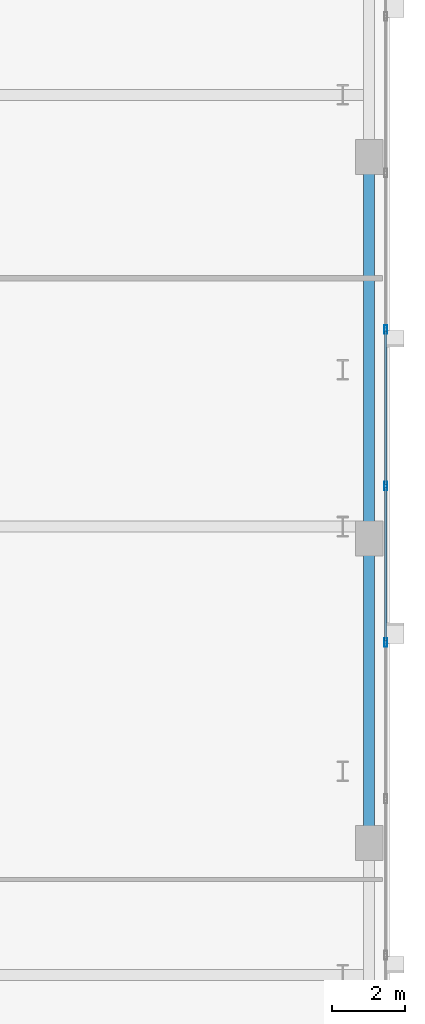
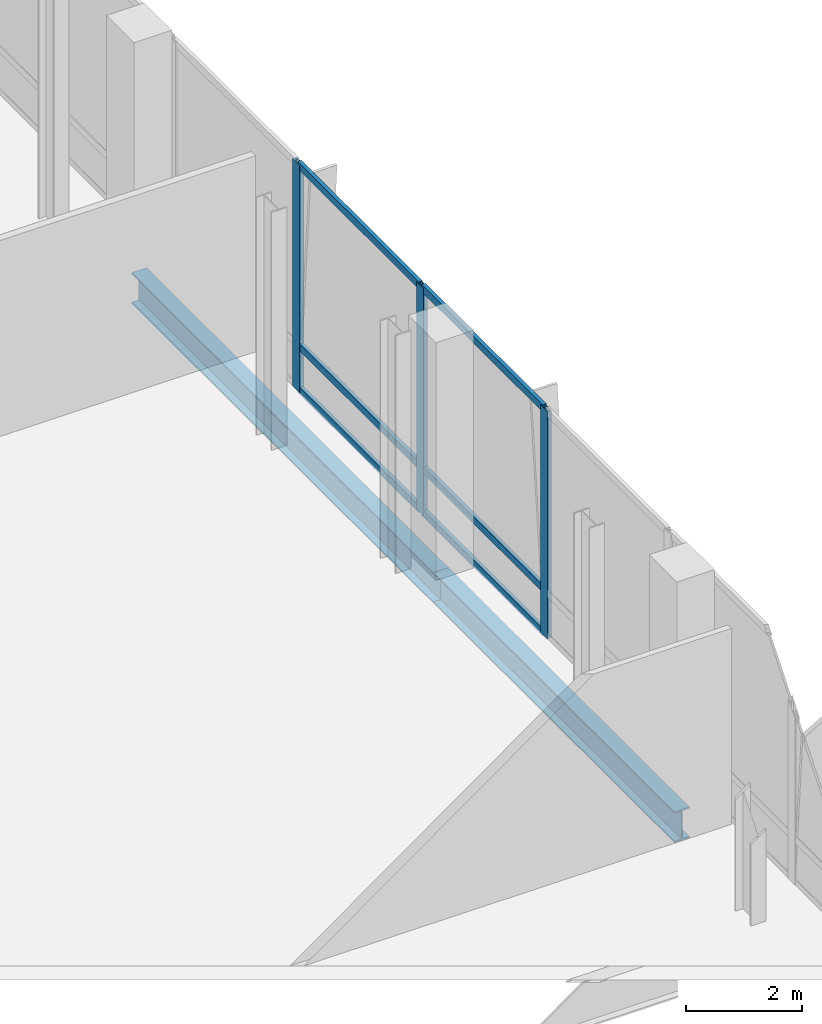
# One storey, part 15 of 25: 9 members, 2 beams, 1 element without a shape of its own.
"""IFC4 building model written with IfcOpenShell, lengths in metres."""

from ifc_helpers import new_model, si_unit, direction, frame, origin, origin_2d, place, context, subcontext, project, spatial, hollow_rectangle, i_section, extrude, material, material_profile, profile_set, type_object, element, aggregate, save


model = new_model("IFC4")

# Units and contexts
model_context = context("Model", 3, precision=1e-05, world=origin(), true_north=direction((0.0, 1.0)))
body_context = subcontext(model_context, "Body", "Model", "MODEL_VIEW")
ifc_project = project(units=[si_unit("LENGTHUNIT", "METRE"), si_unit("AREAUNIT", "SQUARE_METRE"), si_unit("VOLUMEUNIT", "CUBIC_METRE"), si_unit("PLANEANGLEUNIT", "RADIAN"), si_unit("MASSUNIT", "GRAM", prefix="KILO")], contexts=[model_context])

# Site, building, storey
site_placement = place(None, origin())
site = spatial("IfcSite", under=ifc_project, at=site_placement, CompositionType="ELEMENT")
building_placement = place(site_placement, origin())
building = spatial("IfcBuilding", under=site, at=building_placement, Name="Khoronbel Lancet Exchange", CompositionType="ELEMENT")
storey_placement = place(building_placement, frame((0.0, 0.0, 15.39990234375)))
storey = spatial("IfcBuildingStorey", under=building, at=storey_placement, Name="L03", CompositionType="ELEMENT", Elevation=15.39990234375)

# Beams
ifc_material_1 = material(Name="Steel S355", Category="steel")
ifc_material_profile_1 = material_profile(ifc_material_1, i_section(OverallWidth=0.300048828125, OverallDepth=0.64990234375, WebThickness=0.01611328125, FlangeThickness=0.031005859375, at=origin_2d()), Name="HEB 650")
ifc_profile_set_1 = profile_set([ifc_material_profile_1], Name="Steel S355")
beam_type = type_object("IfcBeamType", Name="BM-BSP1", PredefinedType="SPANDREL", material=ifc_profile_set_1)
beam_1_placement = place(storey_placement, frame((72.35009765625, 22.800048828125, -0.52490234375), z_axis=(0.0, 1.0, 0.0), x_axis=(-1.0, 0.0, 0.0)))
element("IfcBeam", 1, at=beam_1_placement, inside=storey, type_object=beam_type, Name="Level L03 perimeter spandrel beam SP10", PredefinedType="SPANDREL", context=body_context, shape_type="SweptSolid", body=[
    extrude(i_section(OverallWidth=0.300048828125, OverallDepth=0.64990234375, WebThickness=0.01611328125, FlangeThickness=0.031005859375, at=origin_2d()), origin(), (0.0, 0.0, 1.0), 8.300048828125),
])
beam_2_placement = place(storey_placement, frame((72.35009765625, 31.10009765625, -0.52490234375), z_axis=(0.0, 1.0, 0.0), x_axis=(-1.0, 0.0, 0.0)))
element("IfcBeam", 2, at=beam_2_placement, inside=storey, type_object=beam_type, Name="Level L03 perimeter spandrel beam SP11", PredefinedType="SPANDREL", context=body_context, shape_type="SweptSolid", body=[
    extrude(i_section(OverallWidth=0.300048828125, OverallDepth=0.64990234375, WebThickness=0.01611328125, FlangeThickness=0.031005859375, at=origin_2d()), origin(), (0.0, 0.0, 1.0), 10.39990234375),
])

# Curtain wall, members
ifc_material_2 = material(Name="Low-E Solar Control Insulating Glass", Category="glass")
curtain_wall_type = type_object("IfcCurtainWallType", Name="CW-5", PredefinedType="NOTDEFINED", material=ifc_material_2)
curtain_wall_placement = place(storey_placement, origin())
curtain_wall = element("IfcCurtainWall", 3, at=curtain_wall_placement, inside=storey, type_object=curtain_wall_type, Name="Unitised curtain wall CW-L03-EAST", PredefinedType="NOTDEFINED")
ifc_material_3 = material(Name="Bronze-Anodised Aluminium 6063-T6", Category="aluminium")
ifc_material_profile_2 = material_profile(ifc_material_3, hollow_rectangle(XDim=0.0849609375, YDim=0.239990234375, WallThickness=0.006103515625, at=origin_2d()), Name="ALU MULLION 85x240")
ifc_profile_set_2 = profile_set([ifc_material_profile_2], Name="Bronze-Anodised Aluminium 6063-T6")
member_type_1 = type_object("IfcMemberType", Name="MEM-CWM1", PredefinedType="MULLION", material=ifc_profile_set_2)
member_1_placement = place(storey_placement, frame((72.800048828125, 28.2666015625, 0.0), z_axis=(0.0, 0.0, 1.0), x_axis=(-1.0, 0.0, 0.0)))
member_1 = element("IfcMember", 4, at=member_1_placement, type_object=member_type_1, Name="CW5 mullion 5", PredefinedType="MULLION", context=body_context, shape_type="SweptSolid", body=[
    extrude(hollow_rectangle(XDim=0.0849609375, YDim=0.239990234375, WallThickness=0.006103515625, at=origin_2d()), origin(), (0.0, 0.0, 1.0), 4.780029296875),
])
member_2_placement = place(storey_placement, frame((72.800048828125, 32.533447265625, 0.0), z_axis=(0.0, 0.0, 1.0), x_axis=(-1.0, 0.0, 0.0)))
member_2 = element("IfcMember", 5, at=member_2_placement, type_object=member_type_1, Name="CW5 mullion 6", PredefinedType="MULLION", context=body_context, shape_type="SweptSolid", body=[
    extrude(hollow_rectangle(XDim=0.0849609375, YDim=0.239990234375, WallThickness=0.006103515625, at=origin_2d()), origin(), (0.0, 0.0, 1.0), 4.780029296875),
])
member_3_placement = place(storey_placement, frame((72.800048828125, 36.800048828125, 0.0), z_axis=(0.0, 0.0, 1.0), x_axis=(-1.0, 0.0, 0.0)))
member_3 = element("IfcMember", 6, at=member_3_placement, type_object=member_type_1, Name="CW5 mullion 7", PredefinedType="MULLION", context=body_context, shape_type="SweptSolid", body=[
    extrude(hollow_rectangle(XDim=0.0849609375, YDim=0.239990234375, WallThickness=0.006103515625, at=origin_2d()), origin(), (0.0, 0.0, 1.0), 4.780029296875),
])
ifc_material_profile_3 = material_profile(ifc_material_3, hollow_rectangle(XDim=0.074951171875, YDim=0.14990234375, WallThickness=0.00439453125, at=origin_2d()), Name="ALU TRANSOM 75x150")
ifc_profile_set_3 = profile_set([ifc_material_profile_3], Name="Bronze-Anodised Aluminium 6063-T6")
member_type_2 = type_object("IfcMemberType", Name="MEM-CWT2", PredefinedType="USERDEFINED", material=ifc_profile_set_3)
member_4_placement = place(storey_placement, frame((72.800048828125, 28.30908203125, 0.03759765625), z_axis=(0.0, 1.0, 0.0), x_axis=(-1.0, 0.0, 0.0)))
member_4 = element("IfcMember", 7, at=member_4_placement, type_object=member_type_2, Name="CW5 transom 5.1", ObjectType="TRANSOM", PredefinedType="USERDEFINED", context=body_context, shape_type="SweptSolid", body=[
    extrude(hollow_rectangle(XDim=0.074951171875, YDim=0.14990234375, WallThickness=0.00439453125, at=origin_2d()), origin(), (0.0, 0.0, 1.0), 4.181640625),
])
member_5_placement = place(storey_placement, frame((72.800048828125, 28.30908203125, 0.9501953125), z_axis=(0.0, 1.0, 0.0), x_axis=(-1.0, 0.0, 0.0)))
member_5 = element("IfcMember", 8, at=member_5_placement, type_object=member_type_2, Name="CW5 transom 5.2", ObjectType="TRANSOM", PredefinedType="USERDEFINED", context=body_context, shape_type="SweptSolid", body=[
    extrude(hollow_rectangle(XDim=0.074951171875, YDim=0.14990234375, WallThickness=0.00439453125, at=origin_2d()), origin(), (0.0, 0.0, 1.0), 4.181640625),
])
member_6_placement = place(storey_placement, frame((72.800048828125, 28.30908203125, 4.74267578125), z_axis=(0.0, 1.0, 0.0), x_axis=(-1.0, 0.0, 0.0)))
member_6 = element("IfcMember", 9, at=member_6_placement, type_object=member_type_2, Name="CW5 transom 5.3", ObjectType="TRANSOM", PredefinedType="USERDEFINED", context=body_context, shape_type="SweptSolid", body=[
    extrude(hollow_rectangle(XDim=0.074951171875, YDim=0.14990234375, WallThickness=0.00439453125, at=origin_2d()), origin(), (0.0, 0.0, 1.0), 4.181640625),
])
member_7_placement = place(storey_placement, frame((72.800048828125, 32.575927734375, 0.03759765625), z_axis=(0.0, 1.0, 0.0), x_axis=(-1.0, 0.0, 0.0)))
member_7 = element("IfcMember", 10, at=member_7_placement, type_object=member_type_2, Name="CW5 transom 6.1", ObjectType="TRANSOM", PredefinedType="USERDEFINED", context=body_context, shape_type="SweptSolid", body=[
    extrude(hollow_rectangle(XDim=0.074951171875, YDim=0.14990234375, WallThickness=0.00439453125, at=origin_2d()), origin(), (0.0, 0.0, 1.0), 4.181640625),
])
member_8_placement = place(storey_placement, frame((72.800048828125, 32.575927734375, 0.9501953125), z_axis=(0.0, 1.0, 0.0), x_axis=(-1.0, 0.0, 0.0)))
member_8 = element("IfcMember", 11, at=member_8_placement, type_object=member_type_2, Name="CW5 transom 6.2", ObjectType="TRANSOM", PredefinedType="USERDEFINED", context=body_context, shape_type="SweptSolid", body=[
    extrude(hollow_rectangle(XDim=0.074951171875, YDim=0.14990234375, WallThickness=0.00439453125, at=origin_2d()), origin(), (0.0, 0.0, 1.0), 4.181640625),
])
member_9_placement = place(storey_placement, frame((72.800048828125, 32.575927734375, 4.74267578125), z_axis=(0.0, 1.0, 0.0), x_axis=(-1.0, 0.0, 0.0)))
member_9 = element("IfcMember", 12, at=member_9_placement, type_object=member_type_2, Name="CW5 transom 6.3", ObjectType="TRANSOM", PredefinedType="USERDEFINED", context=body_context, shape_type="SweptSolid", body=[
    extrude(hollow_rectangle(XDim=0.074951171875, YDim=0.14990234375, WallThickness=0.00439453125, at=origin_2d()), origin(), (0.0, 0.0, 1.0), 4.181640625),
])
aggregate(curtain_wall, [member_1, member_2, member_3, member_4, member_5, member_6, member_7, member_8, member_9])

save(model, "model.ifc")
